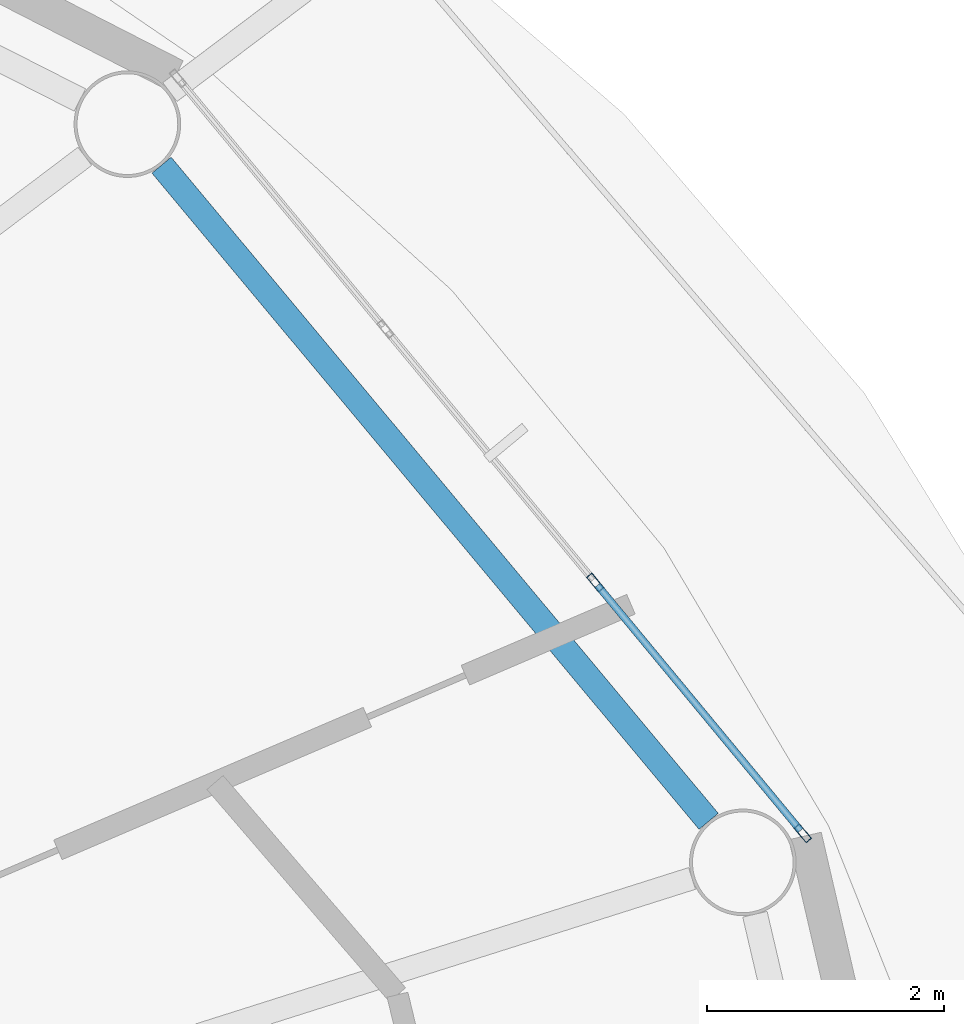
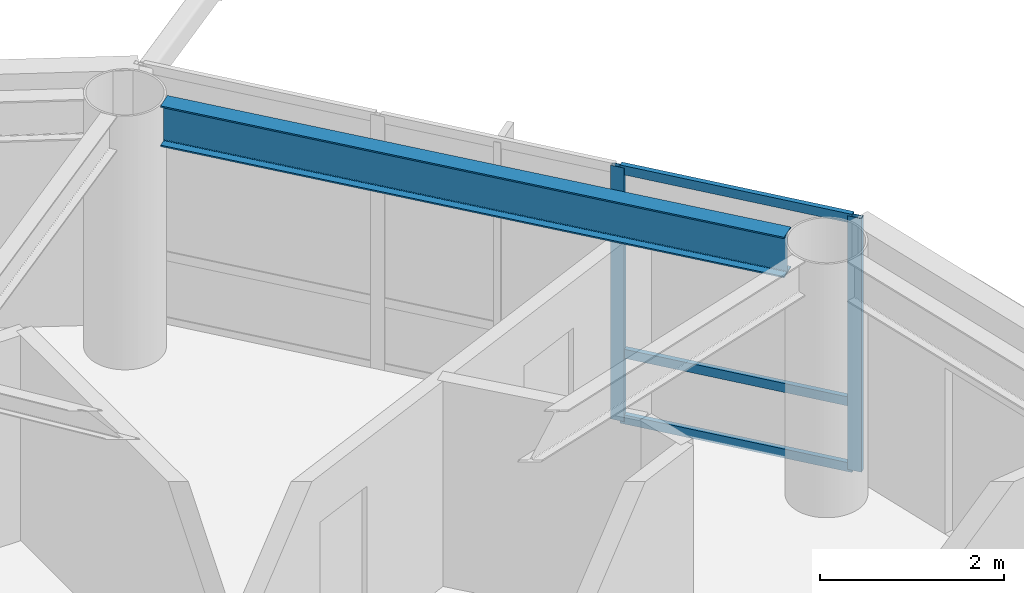
# One storey, part 7 of 22: 5 members, 1 beam, 1 element without a shape of its own.
"""IFC4 building model written with IfcOpenShell, lengths in metres."""

from ifc_helpers import new_model, si_unit, direction, frame, origin, origin_2d, place, context, subcontext, project, spatial, hollow_rectangle, i_section, extrude, material, layer, layer_set, material_profile, profile_set, type_object, element, aggregate, save


model = new_model("IFC4")

# Units and contexts
model_context = context("Model", 3, precision=1e-05, world=origin(), true_north=direction((0.0, 1.0)))
body_context = subcontext(model_context, "Body", "Model", "MODEL_VIEW")
ifc_project = project(units=[si_unit("LENGTHUNIT", "METRE"), si_unit("AREAUNIT", "SQUARE_METRE"), si_unit("VOLUMEUNIT", "CUBIC_METRE"), si_unit("PLANEANGLEUNIT", "RADIAN"), si_unit("MASSUNIT", "GRAM", prefix="KILO")], contexts=[model_context])

# Site, building, storey
site_placement = place(None, origin())
site = spatial("IfcSite", under=ifc_project, at=site_placement, CompositionType="ELEMENT")
building_placement = place(site_placement, origin())
building = spatial("IfcBuilding", under=site, at=building_placement, Name="Sarneth Arch Tower", CompositionType="ELEMENT")
storey_placement = place(building_placement, frame((0.0, 0.0, 210.0)))
storey = spatial("IfcBuildingStorey", under=building, at=storey_placement, Name="L53", CompositionType="ELEMENT", Elevation=210.0)

# Beam
ifc_material_1 = material(Name="Steel S355", Category="steel")
ifc_material_profile_1 = material_profile(ifc_material_1, i_section(OverallWidth=0.2109375, OverallDepth=0.5390625, WebThickness=0.01171875, FlangeThickness=0.018798828125, FilletRadius=0.01806640625, at=origin_2d()), Name="W530x109")
ifc_profile_set_1 = profile_set([ifc_material_profile_1], Name="Steel S355")
beam_type = type_object("IfcBeamType", Name="BM-RAD-530B", PredefinedType="BEAM", material=ifc_profile_set_1)
beam_placement = place(storey_placement, frame((70.880615234375, 49.693115234375, 3.090576171875), z_axis=(-0.640390876881, 0.768049168222, 0.0), x_axis=(-0.768049168222, -0.640390876881, 0.0)))
element("IfcBeam", 1, at=beam_placement, inside=storey, type_object=beam_type, Name="L53 Perimeter spandrel beam 02", PredefinedType="BEAM", context=body_context, shape_type="SweptSolid", body=[
    extrude(i_section(OverallWidth=0.2109375, OverallDepth=0.5390625, WebThickness=0.01171875, FlangeThickness=0.018798828125, FilletRadius=0.01806640625, at=origin_2d()), origin(), (0.0, 0.0, 1.0), 7.2099609375),
])

# Curtain wall, members
ifc_material_2 = material(Name="Anodised aluminium Type AA25 and solar-control low-e laminated IGU", Category="aluminium")
ifc_layer = layer(ifc_material_2, 0.179931640625)
ifc_layer_set = layer_set([ifc_layer], Name="Anodised aluminium Type AA25 and solar-control low-e laminated IGU")
curtain_wall_type = type_object("IfcCurtainWallType", Name="CW-RES-HIGH", PredefinedType="NOTDEFINED", material=ifc_layer_set)
curtain_wall_placement = place(storey_placement, origin())
curtain_wall = element("IfcCurtainWall", 2, at=curtain_wall_placement, inside=storey, type_object=curtain_wall_type, Name="L53 Unitised curtain wall facet 02", PredefinedType="NOTDEFINED")
ifc_material_3 = material(Name="Anodised Aluminium 6063-T6", Category="aluminium")
ifc_material_profile_2 = material_profile(ifc_material_3, hollow_rectangle(XDim=0.06005859375, YDim=0.159912109375, WallThickness=0.00390625, at=origin_2d()), Name="AL-MULL-160x60x4")
ifc_profile_set_2 = profile_set([ifc_material_profile_2], Name="Anodised Aluminium 6063-T6")
member_type_1 = type_object("IfcMemberType", Name="CW-MULLION", PredefinedType="MULLION", material=ifc_profile_set_2)
member_1_placement = place(storey_placement, frame((71.674560546875, 49.592529296875, 0.0), z_axis=(0.0, 0.0, 1.0), x_axis=(-0.770359245933, -0.637610094184, 0.0)))
member_1 = element("IfcMember", 3, at=member_1_placement, type_object=member_type_1, Name="CW-SYS-6 mullion 1", PredefinedType="MULLION", context=body_context, shape_type="SweptSolid", body=[
    extrude(hollow_rectangle(XDim=0.06005859375, YDim=0.159912109375, WallThickness=0.00390625, at=origin_2d()), origin(), (0.0, 0.0, 1.0), 3.360107421875),
])
member_2_placement = place(storey_placement, frame((69.92333984375, 51.70849609375, 0.0), z_axis=(0.0, 0.0, 1.0), x_axis=(-0.770359245933, -0.637610094184, 0.0)))
member_2 = element("IfcMember", 4, at=member_2_placement, type_object=member_type_1, Name="CW-SYS-6 mullion 2", PredefinedType="MULLION", context=body_context, shape_type="SweptSolid", body=[
    extrude(hollow_rectangle(XDim=0.06005859375, YDim=0.159912109375, WallThickness=0.00390625, at=origin_2d()), origin(), (0.0, 0.0, 1.0), 3.360107421875),
])
ifc_material_4 = material(Name="Anodised Aluminium 6063-T6", Category="aluminium")
ifc_material_profile_3 = material_profile(ifc_material_4, hollow_rectangle(XDim=0.06005859375, YDim=0.1201171875, WallThickness=0.00390625, at=origin_2d()), Name="AL-TRAN-120x60x4")
ifc_profile_set_3 = profile_set([ifc_material_profile_3], Name="Anodised Aluminium 6063-T6")
member_type_2 = type_object("IfcMemberType", Name="CW-TRANSOM", PredefinedType="USERDEFINED", material=ifc_profile_set_3)
member_3_placement = place(storey_placement, frame((71.655517578125, 49.61572265625, 0.030029296875), z_axis=(-0.637651400067, 0.770325056059, 0.0), x_axis=(-0.770325056059, -0.637651400067, 0.0)))
member_3 = element("IfcMember", 5, at=member_3_placement, type_object=member_type_2, Name="CW-SYS-6 transom 1.1", ObjectType="TRANSOM", PredefinedType="USERDEFINED", context=body_context, shape_type="SweptSolid", body=[
    extrude(hollow_rectangle(XDim=0.06005859375, YDim=0.1201171875, WallThickness=0.00390625, at=origin_2d()), origin(), (0.0, 0.0, 1.0), 2.6865234375),
])
member_4_placement = place(storey_placement, frame((71.655517578125, 49.61572265625, 0.89990234375), z_axis=(-0.637651400067, 0.770325056059, 0.0), x_axis=(-0.770325056059, -0.637651400067, 0.0)))
member_4 = element("IfcMember", 6, at=member_4_placement, type_object=member_type_2, Name="CW-SYS-6 transom 1.2", ObjectType="TRANSOM", PredefinedType="USERDEFINED", context=body_context, shape_type="SweptSolid", body=[
    extrude(hollow_rectangle(XDim=0.06005859375, YDim=0.1201171875, WallThickness=0.00390625, at=origin_2d()), origin(), (0.0, 0.0, 1.0), 2.6865234375),
])
member_5_placement = place(storey_placement, frame((71.655517578125, 49.61572265625, 3.330078125), z_axis=(-0.637651400067, 0.770325056059, 0.0), x_axis=(-0.770325056059, -0.637651400067, 0.0)))
member_5 = element("IfcMember", 7, at=member_5_placement, type_object=member_type_2, Name="CW-SYS-6 transom 1.3", ObjectType="TRANSOM", PredefinedType="USERDEFINED", context=body_context, shape_type="SweptSolid", body=[
    extrude(hollow_rectangle(XDim=0.06005859375, YDim=0.1201171875, WallThickness=0.00390625, at=origin_2d()), origin(), (0.0, 0.0, 1.0), 2.6865234375),
])
aggregate(curtain_wall, [member_1, member_2, member_3, member_4, member_5])

save(model, "model.ifc")
